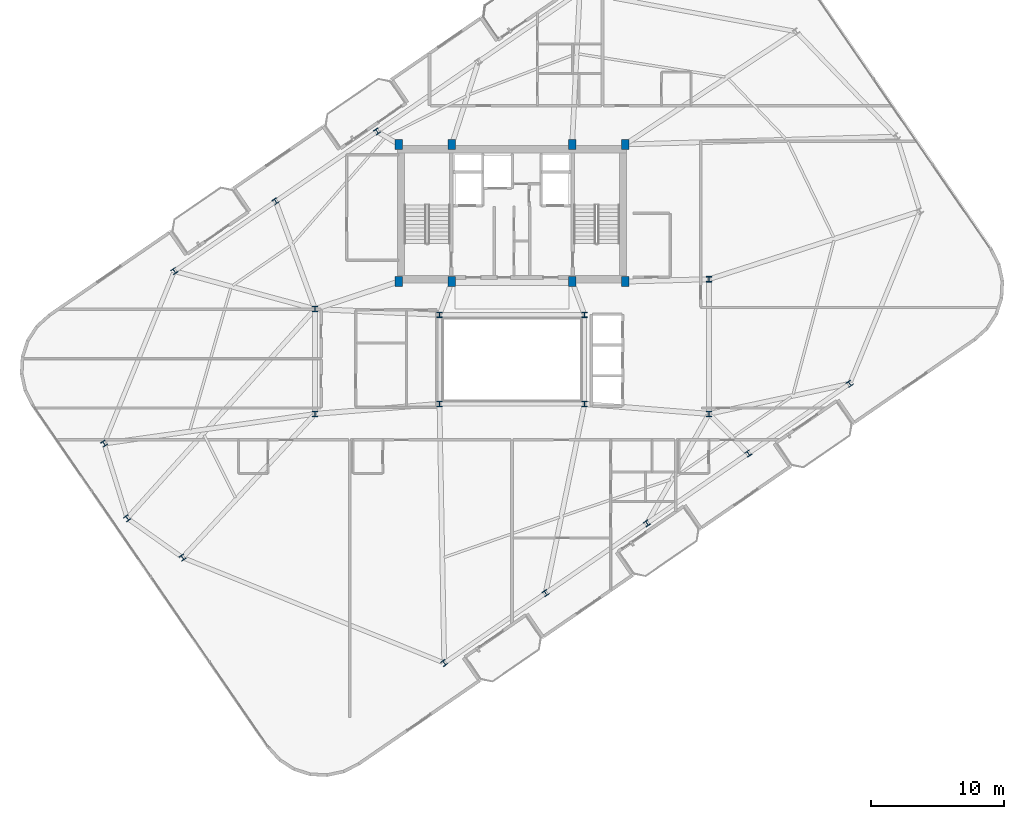
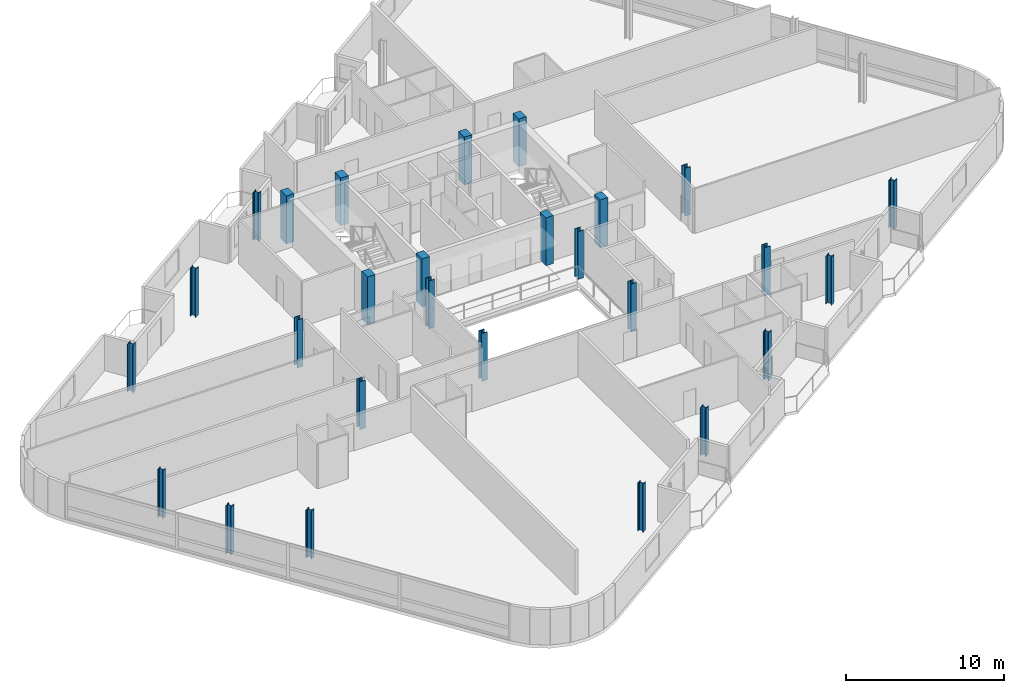
# One storey, part 1 of 21: 27 columns.
"""IFC4 building model written with IfcOpenShell, lengths in metres."""

from ifc_helpers import new_model, si_unit, direction, frame, origin, origin_2d, place, context, subcontext, project, spatial, rectangle, i_section, extrude, material, material_profile, profile_set, type_object, element, save


model = new_model("IFC4")

# Units and contexts
model_context = context("Model", 3, precision=1e-05, world=origin(), true_north=direction((0.0, 1.0)))
body_context = subcontext(model_context, "Body", "Model", "MODEL_VIEW")
ifc_project = project(units=[si_unit("LENGTHUNIT", "METRE"), si_unit("AREAUNIT", "SQUARE_METRE"), si_unit("VOLUMEUNIT", "CUBIC_METRE"), si_unit("PLANEANGLEUNIT", "RADIAN"), si_unit("MASSUNIT", "GRAM", prefix="KILO")], contexts=[model_context])

# Site, building, storey
site_placement = place(None, origin())
site = spatial("IfcSite", under=ifc_project, at=site_placement, CompositionType="ELEMENT")
building_placement = place(site_placement, origin())
building = spatial("IfcBuilding", under=site, at=building_placement, Name="Varnelok Gate Tower", CompositionType="ELEMENT")
storey_placement = place(building_placement, frame((0.0, 0.0, 276.699951171875)))
storey = spatial("IfcBuildingStorey", under=building, at=storey_placement, Name="L71", CompositionType="ELEMENT", Elevation=276.699951171875)

# Columns
ifc_material_1 = material(Name="Concrete C50/60", Category="concrete")
ifc_material_profile_1 = material_profile(ifc_material_1, rectangle(XDim=0.550048828125, YDim=0.75, at=origin_2d()), Name="RC750X550")
ifc_profile_set_1 = profile_set([ifc_material_profile_1], Name="Concrete C50/60")
column_type_1 = type_object("IfcColumnType", Name="COL-RC750X550", PredefinedType="COLUMN", material=ifc_profile_set_1)
for number, where, z_axis, x_axis, name in (
    (1, (30.699951171875, 28.75, 0.0), (0.0, 0.0, 1.0), (1.0, 0.0, 0.0), "L71 Core Spine Column SC1"),
    (2, (34.679931640625, 28.75, 0.0), (0.0, 0.0, 1.0), (1.0, 0.0, 0.0), "L71 Core Spine Column SC2"),
    (3, (43.719970703125, 28.75, 0.0), (0.0, 0.0, 1.0), (1.0, 0.0, 0.0), "L71 Core Spine Column SC3"),
    (4, (47.699951171875, 28.75, 0.0), (0.0, 0.0, 1.0), (1.0, 0.0, 0.0), "L71 Core Spine Column SC4"),
    (5, (30.699951171875, 39.050048828125, 0.0), (0.0, 0.0, 1.0), (1.0, 0.0, 0.0), "L71 Core Spine Column SC5"),
    (6, (34.679931640625, 39.050048828125, 0.0), (0.0, 0.0, 1.0), (1.0, 0.0, 0.0), "L71 Core Spine Column SC6"),
    (7, (43.719970703125, 39.050048828125, 0.0), (0.0, 0.0, 1.0), (1.0, 0.0, 0.0), "L71 Core Spine Column SC7"),
    (8, (47.699951171875, 39.050048828125, 0.0), (0.0, 0.0, 1.0), (1.0, 0.0, 0.0), "L71 Core Spine Column SC8"),
):
    element("IfcColumn", number, at=place(storey_placement, frame(where, z_axis=z_axis, x_axis=x_axis)), inside=storey, type_object=column_type_1, Name=name, PredefinedType="COLUMN", context=body_context, shape_type="SweptSolid", body=[
        extrude(rectangle(XDim=0.550048828125, YDim=0.75, at=origin_2d()), origin(), (0.0, 0.0, 1.0), 3.699951171875),
    ])
ifc_material_2 = material(Name="Structural Steel ASTM A992 Grade 50", Category="steel")
ifc_material_profile_2 = material_profile(ifc_material_2, i_section(OverallWidth=0.40087890625, OverallDepth=0.39892578125, WebThickness=0.02490234375, FlangeThickness=0.03955078125, FilletRadius=0.02197265625, at=origin_2d()), Name="W14X211")
ifc_profile_set_2 = profile_set([ifc_material_profile_2], Name="Structural Steel ASTM A992 Grade 50")
column_type_2 = type_object("IfcColumnType", Name="COL-W14X211", PredefinedType="COLUMN", material=ifc_profile_set_2)
for number, where, z_axis, x_axis, name in (
    (9, (34.107421875, 0.080810546875, 0.0), (0.0, 0.0, 1.0), (0.823532597628, 0.567268949127, 0.0), "L71 B6 Perimeter Column PC01"),
    (10, (41.72509765625, 5.327880859375, 0.0), (0.0, 0.0, 1.0), (0.823532597628, 0.567268949127, 0.0), "L71 B6 Perimeter Column PC02"),
    (11, (49.3427734375, 10.5751953125, 0.0), (0.0, 0.0, 1.0), (0.823532597628, 0.567268949127, 0.0), "L71 B6 Perimeter Column PC03"),
    (12, (56.96044921875, 15.822509765625, 0.0), (0.0, 0.0, 1.0), (0.823532597628, 0.567268949127, 0.0), "L71 B6 Perimeter Column PC04"),
    (13, (64.578125, 21.069580078125, 0.0), (0.0, 0.0, 1.0), (0.823532597628, 0.567268949127, 0.0), "L71 B6 Perimeter Column PC05"),
    (14, (29.05712890625, 40.02490234375, 0.0), (0.0, 0.0, 1.0), (0.823532597628, 0.567268949127, 0.0), "L71 B6 Perimeter Column PC11"),
    (15, (21.439697265625, 34.777587890625, 0.0), (0.0, 0.0, 1.0), (0.823532597628, 0.567268949127, 0.0), "L71 B6 Perimeter Column PC12"),
    (16, (13.822021484375, 29.5302734375, 0.0), (0.0, 0.0, 1.0), (0.823532597628, 0.567268949127, 0.0), "L71 B6 Perimeter Column PC13"),
    (17, (8.543212890625, 16.568603515625, 0.0), (0.0, 0.0, 1.0), (0.823532597628, 0.567268949127, 0.0), "L71 B6 Perimeter Column PC14"),
    (18, (10.284423828125, 10.955810546875, 0.0), (0.0, 0.0, 1.0), (0.823532597628, 0.567268949127, 0.0), "L71 B6 Perimeter Column PC15"),
    (19, (14.44287109375, 8.00390625, 0.0), (0.0, 0.0, 1.0), (0.823532597628, 0.567268949127, 0.0), "L71 B6 Perimeter Column PC16"),
):
    element("IfcColumn", number, at=place(storey_placement, frame(where, z_axis=z_axis, x_axis=x_axis)), inside=storey, type_object=column_type_2, Name=name, PredefinedType="COLUMN", context=body_context, shape_type="SweptSolid", body=[
        extrude(i_section(OverallWidth=0.40087890625, OverallDepth=0.39892578125, WebThickness=0.02490234375, FlangeThickness=0.03955078125, FilletRadius=0.02197265625, at=origin_2d()), origin(), (0.0, 0.0, 1.0), 3.699951171875),
    ])
ifc_material_profile_3 = material_profile(ifc_material_2, i_section(OverallWidth=0.406005859375, OverallDepth=0.416015625, WebThickness=0.02978515625, FlangeThickness=0.048095703125, FilletRadius=0.02490234375, at=origin_2d()), Name="W14X257")
ifc_profile_set_3 = profile_set([ifc_material_profile_3], Name="Structural Steel ASTM A992 Grade 50")
column_type_3 = type_object("IfcColumnType", Name="COL-W14X257", PredefinedType="COLUMN", material=ifc_profile_set_3)
for number, where, z_axis, x_axis, name in (
    (20, (33.75, 19.550048828125, 0.0), (0.0, 0.0, 1.0), (1.0, 0.0, 0.0), "L71 Atrium Spine Column AC1"),
    (21, (44.64990234375, 19.550048828125, 0.0), (0.0, 0.0, 1.0), (1.0, 0.0, 0.0), "L71 Atrium Spine Column AC2"),
    (22, (33.75, 26.25, 0.0), (0.0, 0.0, 1.0), (1.0, 0.0, 0.0), "L71 Atrium Spine Column AC3"),
    (23, (44.64990234375, 26.25, 0.0), (0.0, 0.0, 1.0), (1.0, 0.0, 0.0), "L71 Atrium Spine Column AC4"),
    (24, (24.39990234375, 18.800048828125, 0.0), (0.0, 0.0, 1.0), (1.0, 0.0, 0.0), "L71 Wing Spine Column WS1"),
    (25, (24.39990234375, 26.679931640625, 0.0), (0.0, 0.0, 1.0), (1.0, 0.0, 0.0), "L71 Wing Spine Column WS2"),
    (26, (54.0, 18.800048828125, 0.0), (0.0, 0.0, 1.0), (1.0, 0.0, 0.0), "L71 Wing Spine Column ES1"),
    (27, (54.0, 28.919921875, 0.0), (0.0, 0.0, 1.0), (1.0, 0.0, 0.0), "L71 Wing Spine Column ES2"),
):
    element("IfcColumn", number, at=place(storey_placement, frame(where, z_axis=z_axis, x_axis=x_axis)), inside=storey, type_object=column_type_3, Name=name, PredefinedType="COLUMN", context=body_context, shape_type="SweptSolid", body=[
        extrude(i_section(OverallWidth=0.406005859375, OverallDepth=0.416015625, WebThickness=0.02978515625, FlangeThickness=0.048095703125, FilletRadius=0.02490234375, at=origin_2d()), origin(), (0.0, 0.0, 1.0), 3.699951171875),
    ])

save(model, "model.ifc")
